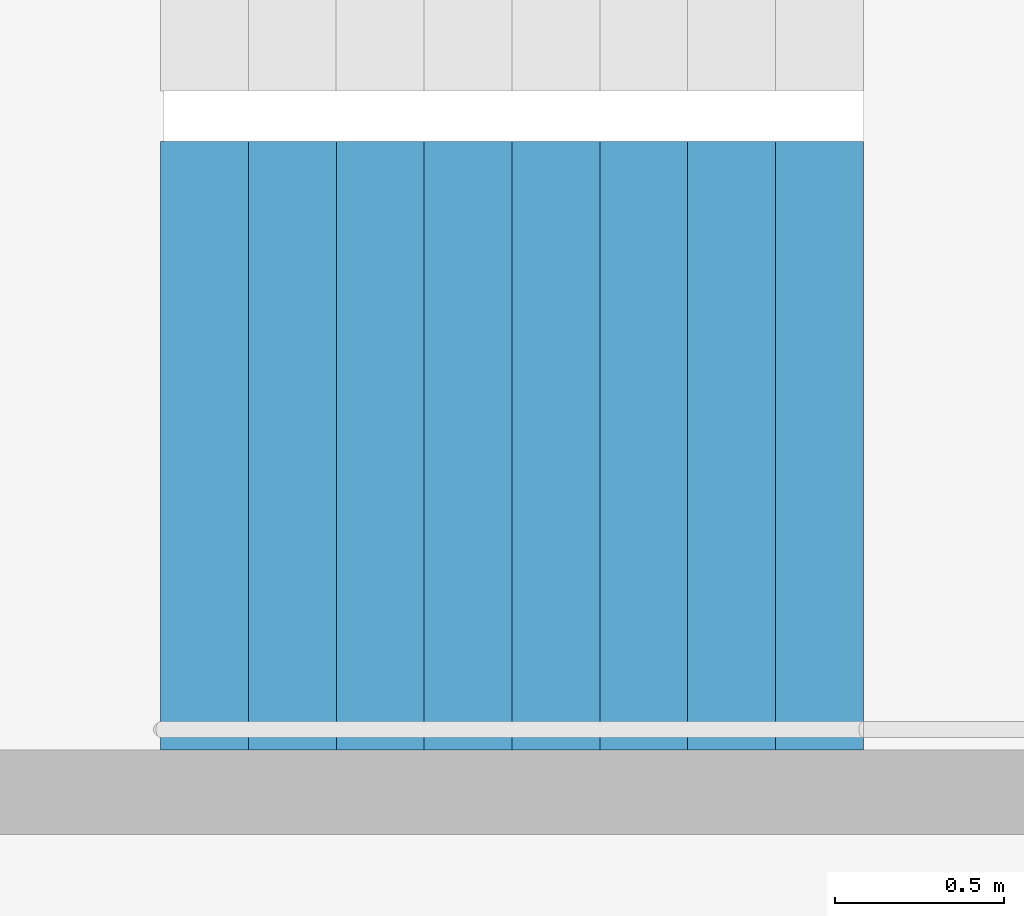
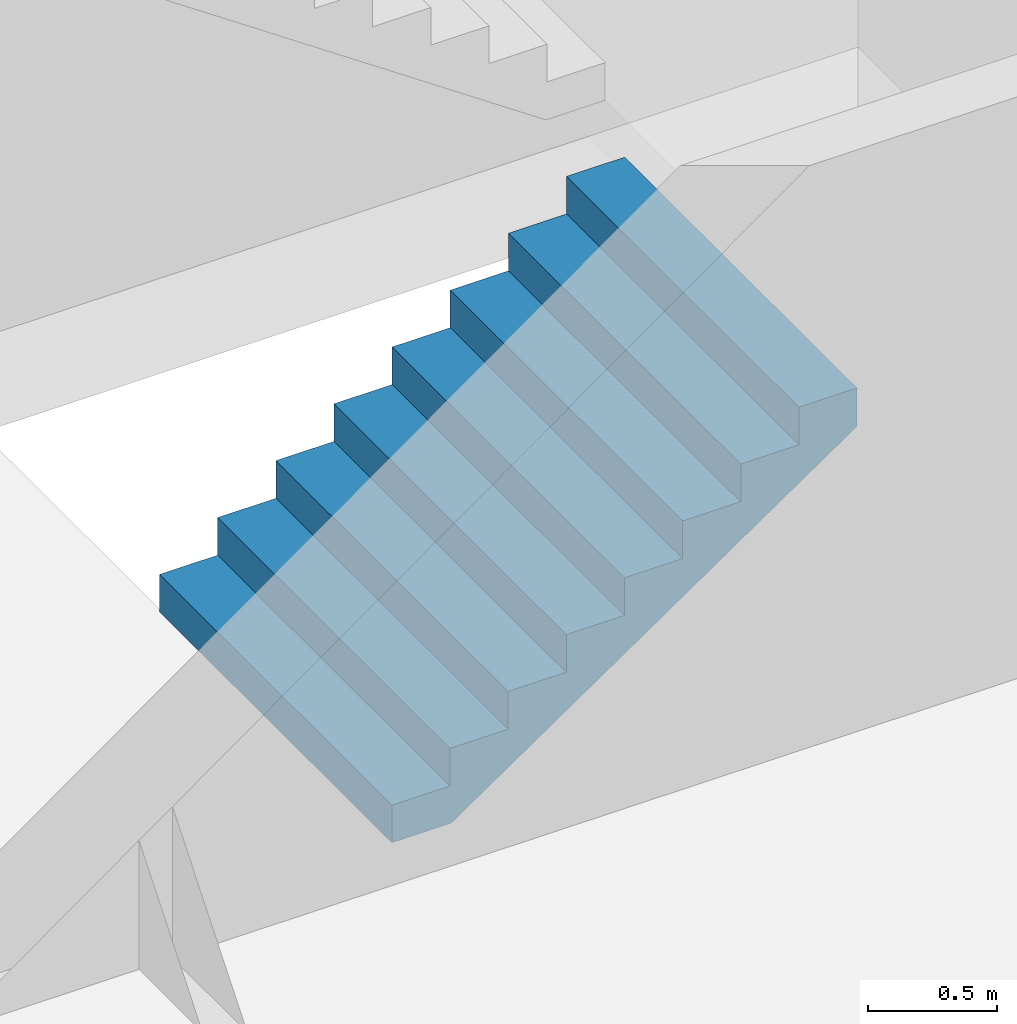
# One storey, part 18 of 29: 1 stair flight, 1 element without a shape of its own.
"""IFC4 building model written with IfcOpenShell, lengths in metres."""

from ifc_helpers import new_model, si_unit, direction, frame, origin, place, context, subcontext, project, spatial, triangles, material, type_object, element, aggregate, save


model = new_model("IFC4")

# Units and contexts
model_context = context("Model", 3, precision=1e-05, world=origin(), true_north=direction((0.0, 1.0)))
body_context = subcontext(model_context, "Body", "Model", "MODEL_VIEW")
ifc_project = project(units=[si_unit("LENGTHUNIT", "METRE"), si_unit("AREAUNIT", "SQUARE_METRE"), si_unit("VOLUMEUNIT", "CUBIC_METRE"), si_unit("PLANEANGLEUNIT", "RADIAN"), si_unit("MASSUNIT", "GRAM", prefix="KILO")], contexts=[model_context])

# Site, building, storey
site_placement = place(None, origin())
site = spatial("IfcSite", under=ifc_project, at=site_placement, CompositionType="ELEMENT")
building_placement = place(site_placement, origin())
building = spatial("IfcBuilding", under=site, at=building_placement, Name="Hakoniwa Tower and Hamabe Station Hall", CompositionType="ELEMENT")
storey_placement = place(building_placement, frame((0.0, 0.0, 163.0)))
storey = spatial("IfcBuildingStorey", under=building, at=storey_placement, Name="L46", CompositionType="ELEMENT", Elevation=163.0)

# Stair, stair flight
ifc_material_1 = material(Name="Concrete C40", Category="concrete")
stair_type = type_object("IfcStairType", Name="ESCAPE STAIR 1800", PredefinedType="HALF_TURN_STAIR", material=ifc_material_1)
stair_placement = place(storey_placement, origin())
stair = element("IfcStair", 1, at=stair_placement, inside=storey, type_object=stair_type, Name="Escape stair ST-1 L46", PredefinedType="HALF_TURN_STAIR")
ifc_material_2 = material(Name="Concrete C40", Category="concrete")
stair_flight_type = type_object("IfcStairFlightType", Name="STAIR FLIGHT 1800", PredefinedType="STRAIGHT", material=ifc_material_2)
stair_flight_placement = place(storey_placement, frame((-24.39990234375, 4.64990234375, 0.0), z_axis=(0.0, 0.0, 1.0), x_axis=(1.0, 0.0, 0.0)))
stair_flight = element("IfcStairFlight", 2, at=stair_flight_placement, type_object=stair_flight_type, Name="ST-1 flight 1", NumberOfRisers=9, NumberOfTreads=8, PredefinedType="STRAIGHT", RiserHeight=0.177777778, TreadLength=0.26, context=body_context, shape_type="Tessellation", body=[
    triangles([(0.0, 0.89990234375, 0.0), (0.260009765625, 0.89990234375, 0.0), (0.265625, 0.89990234375, 0.0), (0.52001953125, 0.89990234375, 0.174072265625), (0.780029296875, 0.89990234375, 0.351806640625), (1.0400390625, 0.89990234375, 0.529541015625), (1.300048828125, 0.89990234375, 0.707275390625), (1.56005859375, 0.89990234375, 0.885009765625), (1.820068359375, 0.89990234375, 1.062744140625), (2.080078125, 0.89990234375, 1.24072265625), (2.080078125, 0.89990234375, 1.422119140625), (1.820068359375, 0.89990234375, 1.422119140625), (1.820068359375, 0.89990234375, 1.244384765625), (1.56005859375, 0.89990234375, 1.244384765625), (1.56005859375, 0.89990234375, 1.066650390625), (1.300048828125, 0.89990234375, 1.066650390625), (1.300048828125, 0.89990234375, 0.888916015625), (1.0400390625, 0.89990234375, 0.888916015625), (1.0400390625, 0.89990234375, 0.711181640625), (0.780029296875, 0.89990234375, 0.711181640625), (0.780029296875, 0.89990234375, 0.533447265625), (0.52001953125, 0.89990234375, 0.533447265625), (0.52001953125, 0.89990234375, 0.35546875), (0.265625, 0.89990234375, 0.35546875), (0.260009765625, 0.89990234375, 0.35546875), (0.260009765625, 0.89990234375, 0.177734375), (0.0, 0.89990234375, 0.177734375), (0.0, 0.06005859375, 0.0), (0.260009765625, 0.06005859375, 0.0), (0.265625, 0.06005859375, 0.0), (0.52001953125, 0.06005859375, 0.174072265625), (0.780029296875, 0.06005859375, 0.351806640625), (1.0400390625, 0.06005859375, 0.529541015625), (1.300048828125, 0.06005859375, 0.707275390625), (1.56005859375, 0.06005859375, 0.885009765625), (1.820068359375, 0.06005859375, 1.062744140625), (2.080078125, 0.06005859375, 1.24072265625), (2.080078125, 0.06005859375, 1.422119140625), (1.820068359375, 0.06005859375, 1.422119140625), (1.820068359375, 0.06005859375, 1.244384765625), (1.56005859375, 0.06005859375, 1.244384765625), (1.56005859375, 0.06005859375, 1.066650390625), (1.300048828125, 0.06005859375, 1.066650390625), (1.300048828125, 0.06005859375, 0.888916015625), (1.0400390625, 0.06005859375, 0.888916015625), (1.0400390625, 0.06005859375, 0.711181640625), (0.780029296875, 0.06005859375, 0.711181640625), (0.780029296875, 0.06005859375, 0.533447265625), (0.52001953125, 0.06005859375, 0.533447265625), (0.52001953125, 0.06005859375, 0.35546875), (0.265625, 0.06005859375, 0.35546875), (0.260009765625, 0.06005859375, 0.35546875), (0.260009765625, 0.06005859375, 0.177734375), (0.0, 0.06005859375, 0.177734375), (0.0, 0.04296875, 0.0), (0.260009765625, 0.04296875, 0.0), (0.265625, 0.04296875, 0.0), (0.52001953125, 0.04296875, 0.174072265625), (0.780029296875, 0.04296875, 0.351806640625), (1.0400390625, 0.04296875, 0.529541015625), (1.300048828125, 0.04296875, 0.707275390625), (1.56005859375, 0.04296875, 0.885009765625), (1.820068359375, 0.04296875, 1.062744140625), (2.080078125, 0.04296875, 1.24072265625), (2.080078125, 0.04296875, 1.422119140625), (1.820068359375, 0.04296875, 1.422119140625), (1.820068359375, 0.04296875, 1.244384765625), (1.56005859375, 0.04296875, 1.244384765625), (1.56005859375, 0.04296875, 1.066650390625), (1.300048828125, 0.04296875, 1.066650390625), (1.300048828125, 0.04296875, 0.888916015625), (1.0400390625, 0.04296875, 0.888916015625), (1.0400390625, 0.04296875, 0.711181640625), (0.780029296875, 0.04296875, 0.711181640625), (0.780029296875, 0.04296875, 0.533447265625), (0.52001953125, 0.04296875, 0.533447265625), (0.52001953125, 0.04296875, 0.35546875), (0.265625, 0.04296875, 0.35546875), (0.260009765625, 0.04296875, 0.35546875), (0.260009765625, 0.04296875, 0.177734375), (0.0, 0.04296875, 0.177734375), (0.0, 0.025634765625, 0.0), (0.260009765625, 0.025634765625, 0.0), (0.265625, 0.025634765625, 0.0), (0.52001953125, 0.025634765625, 0.174072265625), (0.780029296875, 0.025634765625, 0.351806640625), (1.0400390625, 0.025634765625, 0.529541015625), (1.300048828125, 0.025634765625, 0.707275390625), (1.56005859375, 0.025634765625, 0.885009765625), (1.820068359375, 0.025634765625, 1.062744140625), (2.080078125, 0.025634765625, 1.24072265625), (2.080078125, 0.025634765625, 1.422119140625), (1.820068359375, 0.025634765625, 1.422119140625), (1.820068359375, 0.025634765625, 1.244384765625), (1.56005859375, 0.025634765625, 1.244384765625), (1.56005859375, 0.025634765625, 1.066650390625), (1.300048828125, 0.025634765625, 1.066650390625), (1.300048828125, 0.025634765625, 0.888916015625), (1.0400390625, 0.025634765625, 0.888916015625), (1.0400390625, 0.025634765625, 0.711181640625), (0.780029296875, 0.025634765625, 0.711181640625), (0.780029296875, 0.025634765625, 0.533447265625), (0.52001953125, 0.025634765625, 0.533447265625), (0.52001953125, 0.025634765625, 0.35546875), (0.265625, 0.025634765625, 0.35546875), (0.260009765625, 0.025634765625, 0.35546875), (0.260009765625, 0.025634765625, 0.177734375), (0.0, 0.025634765625, 0.177734375), (0.0, 0.008544921875, 0.0), (0.260009765625, 0.008544921875, 0.0), (0.265625, 0.008544921875, 0.0), (0.52001953125, 0.008544921875, 0.174072265625), (0.780029296875, 0.008544921875, 0.351806640625), (1.0400390625, 0.008544921875, 0.529541015625), (1.300048828125, 0.008544921875, 0.707275390625), (1.56005859375, 0.008544921875, 0.885009765625), (1.820068359375, 0.008544921875, 1.062744140625), (2.080078125, 0.008544921875, 1.24072265625), (2.080078125, 0.008544921875, 1.422119140625), (1.820068359375, 0.008544921875, 1.422119140625), (1.820068359375, 0.008544921875, 1.244384765625), (1.56005859375, 0.008544921875, 1.244384765625), (1.56005859375, 0.008544921875, 1.066650390625), (1.300048828125, 0.008544921875, 1.066650390625), (1.300048828125, 0.008544921875, 0.888916015625), (1.0400390625, 0.008544921875, 0.888916015625), (1.0400390625, 0.008544921875, 0.711181640625), (0.780029296875, 0.008544921875, 0.711181640625), (0.780029296875, 0.008544921875, 0.533447265625), (0.52001953125, 0.008544921875, 0.533447265625), (0.52001953125, 0.008544921875, 0.35546875), (0.265625, 0.008544921875, 0.35546875), (0.260009765625, 0.008544921875, 0.35546875), (0.260009765625, 0.008544921875, 0.177734375), (0.0, 0.008544921875, 0.177734375), (0.0, -0.008544921875, 0.0), (0.260009765625, -0.008544921875, 0.0), (0.265625, -0.008544921875, 0.0), (0.52001953125, -0.008544921875, 0.174072265625), (0.780029296875, -0.008544921875, 0.351806640625), (1.0400390625, -0.008544921875, 0.529541015625), (1.300048828125, -0.008544921875, 0.707275390625), (1.56005859375, -0.008544921875, 0.885009765625), (1.820068359375, -0.008544921875, 1.062744140625), (2.080078125, -0.008544921875, 1.24072265625), (2.080078125, -0.008544921875, 1.422119140625), (1.820068359375, -0.008544921875, 1.422119140625), (1.820068359375, -0.008544921875, 1.244384765625), (1.56005859375, -0.008544921875, 1.244384765625), (1.56005859375, -0.008544921875, 1.066650390625), (1.300048828125, -0.008544921875, 1.066650390625), (1.300048828125, -0.008544921875, 0.888916015625), (1.0400390625, -0.008544921875, 0.888916015625), (1.0400390625, -0.008544921875, 0.711181640625), (0.780029296875, -0.008544921875, 0.711181640625), (0.780029296875, -0.008544921875, 0.533447265625), (0.52001953125, -0.008544921875, 0.533447265625), (0.52001953125, -0.008544921875, 0.35546875), (0.265625, -0.008544921875, 0.35546875), (0.260009765625, -0.008544921875, 0.35546875), (0.260009765625, -0.008544921875, 0.177734375), (0.0, -0.008544921875, 0.177734375), (0.0, -0.025634765625, 0.0), (0.260009765625, -0.025634765625, 0.0), (0.265625, -0.025634765625, 0.0), (0.52001953125, -0.025634765625, 0.174072265625), (0.780029296875, -0.025634765625, 0.351806640625), (1.0400390625, -0.025634765625, 0.529541015625), (1.300048828125, -0.025634765625, 0.707275390625), (1.56005859375, -0.025634765625, 0.885009765625), (1.820068359375, -0.025634765625, 1.062744140625), (2.080078125, -0.025634765625, 1.24072265625), (2.080078125, -0.025634765625, 1.422119140625), (1.820068359375, -0.025634765625, 1.422119140625), (1.820068359375, -0.025634765625, 1.244384765625), (1.56005859375, -0.025634765625, 1.244384765625), (1.56005859375, -0.025634765625, 1.066650390625), (1.300048828125, -0.025634765625, 1.066650390625), (1.300048828125, -0.025634765625, 0.888916015625), (1.0400390625, -0.025634765625, 0.888916015625), (1.0400390625, -0.025634765625, 0.711181640625), (0.780029296875, -0.025634765625, 0.711181640625), (0.780029296875, -0.025634765625, 0.533447265625), (0.52001953125, -0.025634765625, 0.533447265625), (0.52001953125, -0.025634765625, 0.35546875), (0.265625, -0.025634765625, 0.35546875), (0.260009765625, -0.025634765625, 0.35546875), (0.260009765625, -0.025634765625, 0.177734375), (0.0, -0.025634765625, 0.177734375), (0.0, -0.04296875, 0.0), (0.260009765625, -0.04296875, 0.0), (0.265625, -0.04296875, 0.0), (0.52001953125, -0.04296875, 0.174072265625), (0.780029296875, -0.04296875, 0.351806640625), (1.0400390625, -0.04296875, 0.529541015625), (1.300048828125, -0.04296875, 0.707275390625), (1.56005859375, -0.04296875, 0.885009765625), (1.820068359375, -0.04296875, 1.062744140625), (2.080078125, -0.04296875, 1.24072265625), (2.080078125, -0.04296875, 1.422119140625), (1.820068359375, -0.04296875, 1.422119140625), (1.820068359375, -0.04296875, 1.244384765625), (1.56005859375, -0.04296875, 1.244384765625), (1.56005859375, -0.04296875, 1.066650390625), (1.300048828125, -0.04296875, 1.066650390625), (1.300048828125, -0.04296875, 0.888916015625), (1.0400390625, -0.04296875, 0.888916015625), (1.0400390625, -0.04296875, 0.711181640625), (0.780029296875, -0.04296875, 0.711181640625), (0.780029296875, -0.04296875, 0.533447265625), (0.52001953125, -0.04296875, 0.533447265625), (0.52001953125, -0.04296875, 0.35546875), (0.265625, -0.04296875, 0.35546875), (0.260009765625, -0.04296875, 0.35546875), (0.260009765625, -0.04296875, 0.177734375), (0.0, -0.04296875, 0.177734375), (0.0, -0.06005859375, 0.0), (0.260009765625, -0.06005859375, 0.0), (0.265625, -0.06005859375, 0.0), (0.52001953125, -0.06005859375, 0.174072265625), (0.780029296875, -0.06005859375, 0.351806640625), (1.0400390625, -0.06005859375, 0.529541015625), (1.300048828125, -0.06005859375, 0.707275390625), (1.56005859375, -0.06005859375, 0.885009765625), (1.820068359375, -0.06005859375, 1.062744140625), (2.080078125, -0.06005859375, 1.24072265625), (2.080078125, -0.06005859375, 1.422119140625), (1.820068359375, -0.06005859375, 1.422119140625), (1.820068359375, -0.06005859375, 1.244384765625), (1.56005859375, -0.06005859375, 1.244384765625), (1.56005859375, -0.06005859375, 1.066650390625), (1.300048828125, -0.06005859375, 1.066650390625), (1.300048828125, -0.06005859375, 0.888916015625), (1.0400390625, -0.06005859375, 0.888916015625), (1.0400390625, -0.06005859375, 0.711181640625), (0.780029296875, -0.06005859375, 0.711181640625), (0.780029296875, -0.06005859375, 0.533447265625), (0.52001953125, -0.06005859375, 0.533447265625), (0.52001953125, -0.06005859375, 0.35546875), (0.265625, -0.06005859375, 0.35546875), (0.260009765625, -0.06005859375, 0.35546875), (0.260009765625, -0.06005859375, 0.177734375), (0.0, -0.06005859375, 0.177734375), (0.0, -0.89990234375, 0.0), (0.260009765625, -0.89990234375, 0.0), (0.265625, -0.89990234375, 0.0), (0.52001953125, -0.89990234375, 0.174072265625), (0.780029296875, -0.89990234375, 0.351806640625), (1.0400390625, -0.89990234375, 0.529541015625), (1.300048828125, -0.89990234375, 0.707275390625), (1.56005859375, -0.89990234375, 0.885009765625), (1.820068359375, -0.89990234375, 1.062744140625), (2.080078125, -0.89990234375, 1.24072265625), (2.080078125, -0.89990234375, 1.422119140625), (1.820068359375, -0.89990234375, 1.422119140625), (1.820068359375, -0.89990234375, 1.244384765625), (1.56005859375, -0.89990234375, 1.244384765625), (1.56005859375, -0.89990234375, 1.066650390625), (1.300048828125, -0.89990234375, 1.066650390625), (1.300048828125, -0.89990234375, 0.888916015625), (1.0400390625, -0.89990234375, 0.888916015625), (1.0400390625, -0.89990234375, 0.711181640625), (0.780029296875, -0.89990234375, 0.711181640625), (0.780029296875, -0.89990234375, 0.533447265625), (0.52001953125, -0.89990234375, 0.533447265625), (0.52001953125, -0.89990234375, 0.35546875), (0.265625, -0.89990234375, 0.35546875), (0.260009765625, -0.89990234375, 0.35546875), (0.260009765625, -0.89990234375, 0.177734375), (0.0, -0.89990234375, 0.177734375)], [[2, 27, 26], [245, 269, 270], [2, 1, 27], [245, 270, 244], [3, 25, 24], [246, 267, 268], [3, 26, 25], [246, 268, 269], [3, 2, 26], [246, 269, 245], [4, 24, 23], [247, 266, 267], [4, 3, 24], [247, 267, 246], [5, 22, 21], [248, 264, 265], [5, 23, 22], [248, 265, 266], [5, 4, 23], [248, 266, 247], [6, 20, 19], [249, 262, 263], [6, 21, 20], [249, 263, 264], [6, 5, 21], [249, 264, 248], [7, 18, 17], [250, 260, 261], [7, 19, 18], [250, 261, 262], [7, 6, 19], [250, 262, 249], [8, 16, 15], [251, 258, 259], [8, 17, 16], [251, 259, 260], [8, 7, 17], [251, 260, 250], [9, 14, 13], [252, 256, 257], [9, 15, 14], [252, 257, 258], [9, 8, 15], [252, 258, 251], [10, 12, 11], [253, 254, 255], [10, 13, 12], [253, 255, 256], [10, 9, 13], [253, 256, 252], [1, 2, 29], [1, 29, 28], [28, 29, 56], [28, 56, 55], [55, 56, 83], [55, 83, 82], [82, 83, 110], [82, 110, 109], [109, 110, 137], [109, 137, 136], [136, 137, 164], [136, 164, 163], [163, 164, 191], [163, 191, 190], [190, 191, 218], [190, 218, 217], [217, 218, 245], [217, 245, 244], [2, 3, 30], [2, 30, 29], [29, 30, 57], [29, 57, 56], [56, 57, 84], [56, 84, 83], [83, 84, 111], [83, 111, 110], [110, 111, 138], [110, 138, 137], [137, 138, 165], [137, 165, 164], [164, 165, 192], [164, 192, 191], [191, 192, 219], [191, 219, 218], [218, 219, 246], [218, 246, 245], [3, 4, 31], [3, 31, 30], [30, 31, 58], [30, 58, 57], [57, 58, 85], [57, 85, 84], [84, 85, 112], [84, 112, 111], [111, 112, 139], [111, 139, 138], [138, 139, 166], [138, 166, 165], [165, 166, 193], [165, 193, 192], [192, 193, 220], [192, 220, 219], [219, 220, 247], [219, 247, 246], [4, 5, 32], [4, 32, 31], [31, 32, 59], [31, 59, 58], [58, 59, 86], [58, 86, 85], [85, 86, 113], [85, 113, 112], [112, 113, 140], [112, 140, 139], [139, 140, 167], [139, 167, 166], [166, 167, 194], [166, 194, 193], [193, 194, 221], [193, 221, 220], [220, 221, 248], [220, 248, 247], [5, 6, 33], [5, 33, 32], [32, 33, 60], [32, 60, 59], [59, 60, 87], [59, 87, 86], [86, 87, 114], [86, 114, 113], [113, 114, 141], [113, 141, 140], [140, 141, 168], [140, 168, 167], [167, 168, 195], [167, 195, 194], [194, 195, 222], [194, 222, 221], [221, 222, 249], [221, 249, 248], [6, 7, 34], [6, 34, 33], [33, 34, 61], [33, 61, 60], [60, 61, 88], [60, 88, 87], [87, 88, 115], [87, 115, 114], [114, 115, 142], [114, 142, 141], [141, 142, 169], [141, 169, 168], [168, 169, 196], [168, 196, 195], [195, 196, 223], [195, 223, 222], [222, 223, 250], [222, 250, 249], [7, 8, 35], [7, 35, 34], [34, 35, 62], [34, 62, 61], [61, 62, 89], [61, 89, 88], [88, 89, 116], [88, 116, 115], [115, 116, 143], [115, 143, 142], [142, 143, 170], [142, 170, 169], [169, 170, 197], [169, 197, 196], [196, 197, 224], [196, 224, 223], [223, 224, 251], [223, 251, 250], [8, 9, 36], [8, 36, 35], [35, 36, 63], [35, 63, 62], [62, 63, 90], [62, 90, 89], [89, 90, 117], [89, 117, 116], [116, 117, 144], [116, 144, 143], [143, 144, 171], [143, 171, 170], [170, 171, 198], [170, 198, 197], [197, 198, 225], [197, 225, 224], [224, 225, 252], [224, 252, 251], [9, 10, 37], [9, 37, 36], [36, 37, 64], [36, 64, 63], [63, 64, 91], [63, 91, 90], [90, 91, 118], [90, 118, 117], [117, 118, 145], [117, 145, 144], [144, 145, 172], [144, 172, 171], [171, 172, 199], [171, 199, 198], [198, 199, 226], [198, 226, 225], [225, 226, 253], [225, 253, 252], [10, 11, 38], [10, 38, 37], [37, 38, 65], [37, 65, 64], [64, 65, 92], [64, 92, 91], [91, 92, 119], [91, 119, 118], [118, 119, 146], [118, 146, 145], [145, 146, 173], [145, 173, 172], [172, 173, 200], [172, 200, 199], [199, 200, 227], [199, 227, 226], [226, 227, 254], [226, 254, 253], [11, 12, 39], [11, 39, 38], [38, 39, 66], [38, 66, 65], [65, 66, 93], [65, 93, 92], [92, 93, 120], [92, 120, 119], [119, 120, 147], [119, 147, 146], [146, 147, 174], [146, 174, 173], [173, 174, 201], [173, 201, 200], [200, 201, 228], [200, 228, 227], [227, 228, 255], [227, 255, 254], [12, 13, 40], [12, 40, 39], [39, 40, 67], [39, 67, 66], [66, 67, 94], [66, 94, 93], [93, 94, 121], [93, 121, 120], [120, 121, 148], [120, 148, 147], [147, 148, 175], [147, 175, 174], [174, 175, 202], [174, 202, 201], [201, 202, 229], [201, 229, 228], [228, 229, 256], [228, 256, 255], [13, 14, 41], [13, 41, 40], [40, 41, 68], [40, 68, 67], [67, 68, 95], [67, 95, 94], [94, 95, 122], [94, 122, 121], [121, 122, 149], [121, 149, 148], [148, 149, 176], [148, 176, 175], [175, 176, 203], [175, 203, 202], [202, 203, 230], [202, 230, 229], [229, 230, 257], [229, 257, 256], [14, 15, 42], [14, 42, 41], [41, 42, 69], [41, 69, 68], [68, 69, 96], [68, 96, 95], [95, 96, 123], [95, 123, 122], [122, 123, 150], [122, 150, 149], [149, 150, 177], [149, 177, 176], [176, 177, 204], [176, 204, 203], [203, 204, 231], [203, 231, 230], [230, 231, 258], [230, 258, 257], [15, 16, 43], [15, 43, 42], [42, 43, 70], [42, 70, 69], [69, 70, 97], [69, 97, 96], [96, 97, 124], [96, 124, 123], [123, 124, 151], [123, 151, 150], [150, 151, 178], [150, 178, 177], [177, 178, 205], [177, 205, 204], [204, 205, 232], [204, 232, 231], [231, 232, 259], [231, 259, 258], [16, 17, 44], [16, 44, 43], [43, 44, 71], [43, 71, 70], [70, 71, 98], [70, 98, 97], [97, 98, 125], [97, 125, 124], [124, 125, 152], [124, 152, 151], [151, 152, 179], [151, 179, 178], [178, 179, 206], [178, 206, 205], [205, 206, 233], [205, 233, 232], [232, 233, 260], [232, 260, 259], [17, 18, 45], [17, 45, 44], [44, 45, 72], [44, 72, 71], [71, 72, 99], [71, 99, 98], [98, 99, 126], [98, 126, 125], [125, 126, 153], [125, 153, 152], [152, 153, 180], [152, 180, 179], [179, 180, 207], [179, 207, 206], [206, 207, 234], [206, 234, 233], [233, 234, 261], [233, 261, 260], [18, 19, 46], [18, 46, 45], [45, 46, 73], [45, 73, 72], [72, 73, 100], [72, 100, 99], [99, 100, 127], [99, 127, 126], [126, 127, 154], [126, 154, 153], [153, 154, 181], [153, 181, 180], [180, 181, 208], [180, 208, 207], [207, 208, 235], [207, 235, 234], [234, 235, 262], [234, 262, 261], [19, 20, 47], [19, 47, 46], [46, 47, 74], [46, 74, 73], [73, 74, 101], [73, 101, 100], [100, 101, 128], [100, 128, 127], [127, 128, 155], [127, 155, 154], [154, 155, 182], [154, 182, 181], [181, 182, 209], [181, 209, 208], [208, 209, 236], [208, 236, 235], [235, 236, 263], [235, 263, 262], [20, 21, 48], [20, 48, 47], [47, 48, 75], [47, 75, 74], [74, 75, 102], [74, 102, 101], [101, 102, 129], [101, 129, 128], [128, 129, 156], [128, 156, 155], [155, 156, 183], [155, 183, 182], [182, 183, 210], [182, 210, 209], [209, 210, 237], [209, 237, 236], [236, 237, 264], [236, 264, 263], [21, 22, 49], [21, 49, 48], [48, 49, 76], [48, 76, 75], [75, 76, 103], [75, 103, 102], [102, 103, 130], [102, 130, 129], [129, 130, 157], [129, 157, 156], [156, 157, 184], [156, 184, 183], [183, 184, 211], [183, 211, 210], [210, 211, 238], [210, 238, 237], [237, 238, 265], [237, 265, 264], [22, 23, 50], [22, 50, 49], [49, 50, 77], [49, 77, 76], [76, 77, 104], [76, 104, 103], [103, 104, 131], [103, 131, 130], [130, 131, 158], [130, 158, 157], [157, 158, 185], [157, 185, 184], [184, 185, 212], [184, 212, 211], [211, 212, 239], [211, 239, 238], [238, 239, 266], [238, 266, 265], [23, 24, 51], [23, 51, 50], [50, 51, 78], [50, 78, 77], [77, 78, 105], [77, 105, 104], [104, 105, 132], [104, 132, 131], [131, 132, 159], [131, 159, 158], [158, 159, 186], [158, 186, 185], [185, 186, 213], [185, 213, 212], [212, 213, 240], [212, 240, 239], [239, 240, 267], [239, 267, 266], [24, 25, 52], [24, 52, 51], [51, 52, 79], [51, 79, 78], [78, 79, 106], [78, 106, 105], [105, 106, 133], [105, 133, 132], [132, 133, 160], [132, 160, 159], [159, 160, 187], [159, 187, 186], [186, 187, 214], [186, 214, 213], [213, 214, 241], [213, 241, 240], [240, 241, 268], [240, 268, 267], [25, 26, 53], [25, 53, 52], [52, 53, 80], [52, 80, 79], [79, 80, 107], [79, 107, 106], [106, 107, 134], [106, 134, 133], [133, 134, 161], [133, 161, 160], [160, 161, 188], [160, 188, 187], [187, 188, 215], [187, 215, 214], [214, 215, 242], [214, 242, 241], [241, 242, 269], [241, 269, 268], [26, 27, 54], [26, 54, 53], [53, 54, 81], [53, 81, 80], [80, 81, 108], [80, 108, 107], [107, 108, 135], [107, 135, 134], [134, 135, 162], [134, 162, 161], [161, 162, 189], [161, 189, 188], [188, 189, 216], [188, 216, 215], [215, 216, 243], [215, 243, 242], [242, 243, 270], [242, 270, 269], [27, 1, 28], [27, 28, 54], [54, 28, 55], [54, 55, 81], [81, 55, 82], [81, 82, 108], [108, 82, 109], [108, 109, 135], [135, 109, 136], [135, 136, 162], [162, 136, 163], [162, 163, 189], [189, 163, 190], [189, 190, 216], [216, 190, 217], [216, 217, 243], [243, 217, 244], [243, 244, 270]], closed=True),
])
aggregate(stair, [stair_flight])

save(model, "model.ifc")
